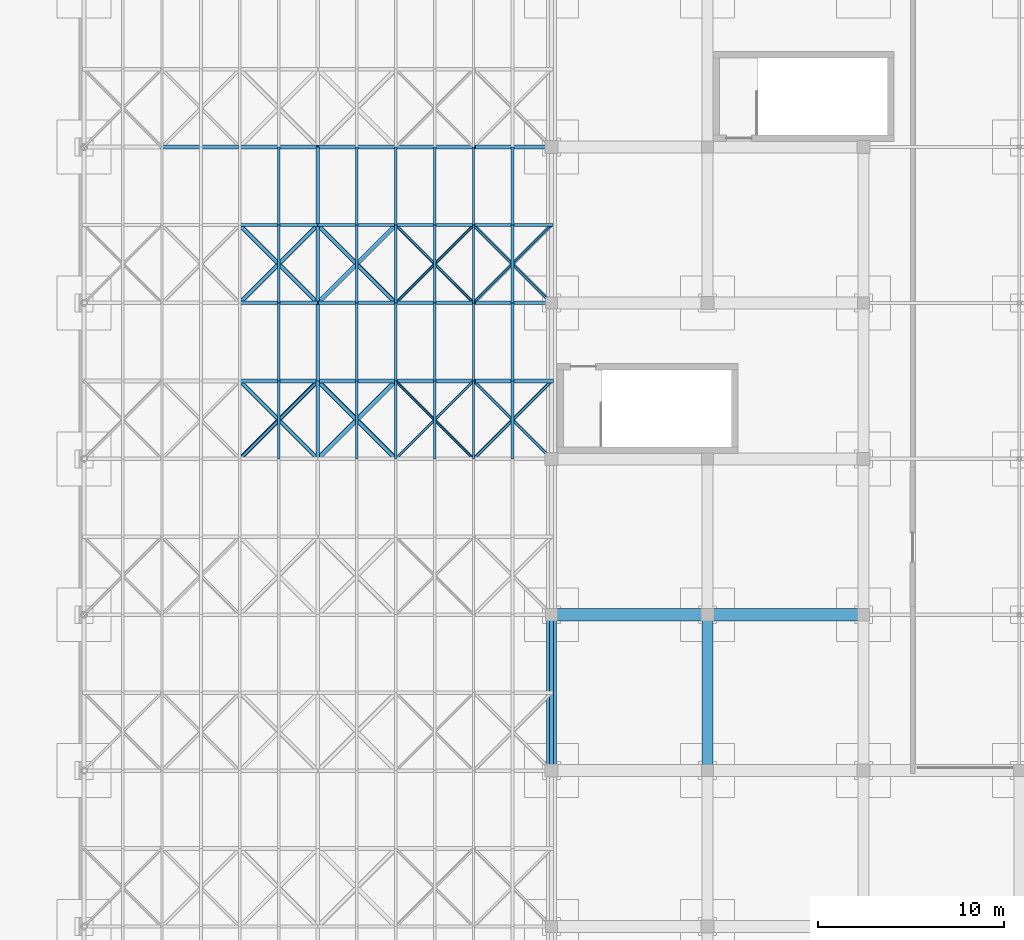
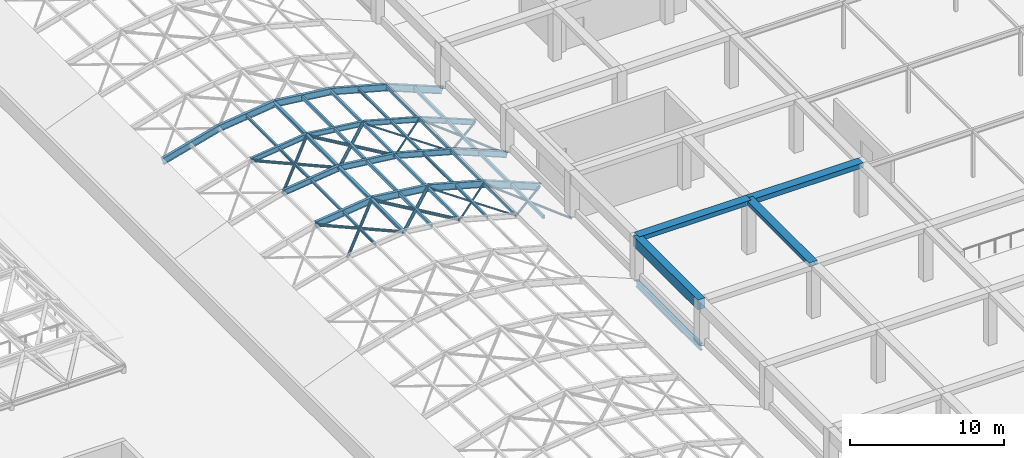
# One storey, part 22 of 85: 61 members, 5 beams.
"""IFC4 building model written with IfcOpenShell, lengths in metres."""

from ifc_helpers import new_model, si_unit, direction, frame, origin, origin_2d, place, context, subcontext, project, spatial, rectangle, hollow_rectangle, hollow_circle, i_section, extrude, material, material_profile, profile_set, type_object, element, save


model = new_model("IFC4")

# Units and contexts
model_context = context("Model", 3, precision=1e-05, world=origin(), true_north=direction((0.0, 1.0)))
body_context = subcontext(model_context, "Body", "Model", "MODEL_VIEW")
ifc_project = project(units=[si_unit("LENGTHUNIT", "METRE"), si_unit("AREAUNIT", "SQUARE_METRE"), si_unit("VOLUMEUNIT", "CUBIC_METRE"), si_unit("PLANEANGLEUNIT", "RADIAN"), si_unit("MASSUNIT", "GRAM", prefix="KILO")], contexts=[model_context])

# Site, building, storey
site_placement = place(None, origin())
site = spatial("IfcSite", under=ifc_project, at=site_placement, CompositionType="ELEMENT")
building_placement = place(site_placement, origin())
building = spatial("IfcBuilding", under=site, at=building_placement, Name="Almacenes y Pasaje Nevantli", CompositionType="ELEMENT")
storey_placement = place(building_placement, frame((0.0, 0.0, 22.199951171875)))
storey = spatial("IfcBuildingStorey", under=building, at=storey_placement, Name="L05", CompositionType="ELEMENT", Elevation=22.199951171875)

# Beams
ifc_material_1 = material(Name="Concrete C35/45", Category="concrete")
ifc_material_profile_1 = material_profile(ifc_material_1, rectangle(XDim=0.550048828125, YDim=0.800048828125, at=origin_2d()), Name="RC-BM-550x800")
ifc_profile_set_1 = profile_set([ifc_material_profile_1], Name="Concrete C35/45")
beam_type_1 = type_object("IfcBeamType", Name="BM-RC-550x800", PredefinedType="BEAM", material=ifc_profile_set_1)
beam_1_placement = place(storey_placement, frame((92.39990234375, 25.199951171875, 3.820068359375), z_axis=(0.0, 1.0, 0.0), x_axis=(-1.0, 0.0, 0.0)))
element("IfcBeam", 1, at=beam_1_placement, inside=storey, type_object=beam_type_1, Name="L05 North-South Reinforced Concrete Beam #3467", PredefinedType="BEAM", context=body_context, shape_type="SweptSolid", body=[
    extrude(rectangle(XDim=0.550048828125, YDim=0.800048828125, at=origin_2d()), origin(), (0.0, 0.0, 1.0), 8.400146484375),
])
ifc_material_2 = material(Name="Concrete C35/45", Category="concrete")
ifc_material_profile_2 = material_profile(ifc_material_2, rectangle(XDim=0.60009765625, YDim=0.320068359375, at=origin_2d()), Name="RC-BM-600x320")
ifc_profile_set_2 = profile_set([ifc_material_profile_2], Name="Concrete C35/45")
beam_type_2 = type_object("IfcBeamType", Name="BM-RC-600x320", PredefinedType="BEAM", material=ifc_profile_set_2)
beam_2_placement = place(storey_placement, frame((100.800048828125, 25.199951171875, 4.06005859375), z_axis=(0.0, 1.0, 0.0), x_axis=(-1.0, 0.0, 0.0)))
element("IfcBeam", 2, at=beam_2_placement, inside=storey, type_object=beam_type_2, Name="L05 North-South Reinforced Concrete Beam #3481", PredefinedType="BEAM", context=body_context, shape_type="SweptSolid", body=[
    extrude(rectangle(XDim=0.60009765625, YDim=0.320068359375, at=origin_2d()), origin(), (0.0, 0.0, 1.0), 8.400146484375),
])
ifc_material_3 = material(Name="Concrete C35/45", Category="concrete")
ifc_material_profile_3 = material_profile(ifc_material_3, rectangle(XDim=0.64990234375, YDim=0.35009765625, at=origin_2d()), Name="RC-BM-650x350")
ifc_profile_set_3 = profile_set([ifc_material_profile_3], Name="Concrete C35/45")
beam_type_3 = type_object("IfcBeamType", Name="BM-RC-650x350", PredefinedType="BEAM", material=ifc_profile_set_3)
beam_3_placement = place(storey_placement, frame((92.39990234375, 33.60009765625, 4.045166015625), z_axis=(1.0, 0.0, 0.0), x_axis=(0.0, 1.0, 0.0)))
element("IfcBeam", 3, at=beam_3_placement, inside=storey, type_object=beam_type_3, Name="L05 East-West Reinforced Concrete Beam #3299", PredefinedType="BEAM", context=body_context, shape_type="SweptSolid", body=[
    extrude(rectangle(XDim=0.64990234375, YDim=0.35009765625, at=origin_2d()), origin(), (0.0, 0.0, 1.0), 8.400146484375),
])
ifc_material_4 = material(Name="Concrete C35/45", Category="concrete")
ifc_material_profile_4 = material_profile(ifc_material_4, rectangle(XDim=0.64990234375, YDim=0.3798828125, at=origin_2d()), Name="RC-BM-650x380")
ifc_profile_set_4 = profile_set([ifc_material_profile_4], Name="Concrete C35/45")
beam_type_4 = type_object("IfcBeamType", Name="BM-RC-650x380", PredefinedType="BEAM", material=ifc_profile_set_4)
beam_4_placement = place(storey_placement, frame((100.800048828125, 33.60009765625, 4.030029296875), z_axis=(1.0, 0.0, 0.0), x_axis=(0.0, 1.0, 0.0)))
element("IfcBeam", 4, at=beam_4_placement, inside=storey, type_object=beam_type_4, Name="L05 East-West Reinforced Concrete Beam #3300", PredefinedType="BEAM", context=body_context, shape_type="SweptSolid", body=[
    extrude(rectangle(XDim=0.64990234375, YDim=0.3798828125, at=origin_2d()), origin(), (0.0, 0.0, 1.0), 8.39990234375),
])
ifc_material_5 = material(Name="Steel ASTM A992", Category="steel")
ifc_material_profile_5 = material_profile(ifc_material_5, i_section(OverallWidth=0.208984375, OverallDepth=0.532958984375, WebThickness=0.01025390625, FlangeThickness=0.015625, at=origin_2d()), Name="IR 533x92.5")
ifc_profile_set_5 = profile_set([ifc_material_profile_5], Name="Steel ASTM A992")
beam_type_5 = type_object("IfcBeamType", Name="BM-STL-IR-533x92p5", PredefinedType="BEAM", material=ifc_profile_set_5)
beam_5_placement = place(storey_placement, frame((92.39990234375, 25.199951171875, 0.400146484375), z_axis=(0.0, 1.0, 0.0), x_axis=(-1.0, 0.0, 0.0)))
element("IfcBeam", 5, at=beam_5_placement, inside=storey, type_object=beam_type_5, Name="L05 Arcade Barrel Vault Eave Steel Girder #2.4", PredefinedType="BEAM", context=body_context, shape_type="SweptSolid", body=[
    extrude(i_section(OverallWidth=0.208984375, OverallDepth=0.532958984375, WebThickness=0.01025390625, FlangeThickness=0.015625, at=origin_2d()), origin(), (0.0, 0.0, 1.0), 8.400146484375),
])

# Members
ifc_material_6 = material(Name="Steel ASTM A992", Category="steel")
ifc_material_profile_6 = material_profile(ifc_material_6, i_section(OverallWidth=0.180908203125, OverallDepth=0.406005859375, WebThickness=0.010986328125, FlangeThickness=0.018310546875, at=origin_2d()), Name="IR 406x85.0")
ifc_profile_set_6 = profile_set([ifc_material_profile_6], Name="Steel ASTM A992")
member_type_1 = type_object("IfcMemberType", Name="MBR-ARCH-IR406x85", PredefinedType="USERDEFINED", material=ifc_profile_set_6)
for number, where, z_axis, x_axis, name in (
    (6, (75.60009765625, 54.60009765625, 3.25), (0.99298811287, 0.0, 0.118214244908), (0.0, 1.0, 0.0), "Arcade Barrel Vault Steel Arch Rib 14.3"),
    (7, (79.800048828125, 54.60009765625, 3.75), (0.99298811287, 0.0, -0.118214244908), (0.0, 1.0, 0.0), "Arcade Barrel Vault Steel Arch Rib 14.4"),
):
    element("IfcMember", number, at=place(storey_placement, frame(where, z_axis=z_axis, x_axis=x_axis)), inside=storey, type_object=member_type_1, Name=name, ObjectType="ARCH RIB", PredefinedType="USERDEFINED", context=body_context, shape_type="SweptSolid", body=[
        extrude(i_section(OverallWidth=0.180908203125, OverallDepth=0.406005859375, WebThickness=0.010986328125, FlangeThickness=0.018310546875, at=origin_2d()), origin(), (0.0, 0.0, 1.0), 4.2294921875),
    ])
member_1_placement = place(storey_placement, frame((84.0, 54.60009765625, 3.25), z_axis=(0.964503290046, 0.0, -0.264070830443), x_axis=(0.0, 1.0, 0.0)))
element("IfcMember", 8, at=member_1_placement, inside=storey, type_object=member_type_1, Name="Arcade Barrel Vault Steel Arch Rib 14.5", ObjectType="ARCH RIB", PredefinedType="USERDEFINED", context=body_context, shape_type="SweptSolid", body=[
    extrude(i_section(OverallWidth=0.180908203125, OverallDepth=0.406005859375, WebThickness=0.010986328125, FlangeThickness=0.018310546875, at=origin_2d()), origin(), (0.0, 0.0, 1.0), 4.3544921875),
])
member_2_placement = place(storey_placement, frame((88.199951171875, 54.60009765625, 2.10009765625), z_axis=(0.926949044115, 0.0, -0.375187246072), x_axis=(0.0, 1.0, 0.0)))
element("IfcMember", 9, at=member_2_placement, inside=storey, type_object=member_type_1, Name="Arcade Barrel Vault Steel Arch Rib 14.6", ObjectType="ARCH RIB", PredefinedType="USERDEFINED", context=body_context, shape_type="SweptSolid", body=[
    extrude(i_section(OverallWidth=0.180908203125, OverallDepth=0.406005859375, WebThickness=0.010986328125, FlangeThickness=0.018310546875, at=origin_2d()), origin(), (0.0, 0.0, 1.0), 4.531005859375),
])
ifc_material_7 = material(Name="Steel ASTM A992", Category="steel")
ifc_material_profile_7 = material_profile(ifc_material_7, i_section(OverallWidth=0.193115234375, OverallDepth=0.4599609375, WebThickness=0.011474609375, FlangeThickness=0.01904296875, at=origin_2d()), Name="IR 457x96.7")
ifc_profile_set_7 = profile_set([ifc_material_profile_7], Name="Steel ASTM A992")
member_type_2 = type_object("IfcMemberType", Name="MBR-ARCH-IR457x96", PredefinedType="USERDEFINED", material=ifc_profile_set_7)
for number, where, z_axis, x_axis, name in (
    (10, (75.60009765625, 50.39990234375, 3.25), (0.99298811287, 0.0, 0.118214244908), (0.0, 1.0, 0.0), "Arcade Barrel Vault Steel Arch Rib 13.3"),
    (11, (79.800048828125, 50.39990234375, 3.75), (0.99298811287, 0.0, -0.118214244908), (0.0, 1.0, 0.0), "Arcade Barrel Vault Steel Arch Rib 13.4"),
):
    element("IfcMember", number, at=place(storey_placement, frame(where, z_axis=z_axis, x_axis=x_axis)), inside=storey, type_object=member_type_2, Name=name, ObjectType="ARCH RIB", PredefinedType="USERDEFINED", context=body_context, shape_type="SweptSolid", body=[
        extrude(i_section(OverallWidth=0.193115234375, OverallDepth=0.4599609375, WebThickness=0.011474609375, FlangeThickness=0.01904296875, at=origin_2d()), origin(), (0.0, 0.0, 1.0), 4.2294921875),
    ])
member_3_placement = place(storey_placement, frame((84.0, 50.39990234375, 3.25), z_axis=(0.964503290046, 0.0, -0.264070830443), x_axis=(0.0, 1.0, 0.0)))
element("IfcMember", 12, at=member_3_placement, inside=storey, type_object=member_type_2, Name="Arcade Barrel Vault Steel Arch Rib 13.5", ObjectType="ARCH RIB", PredefinedType="USERDEFINED", context=body_context, shape_type="SweptSolid", body=[
    extrude(i_section(OverallWidth=0.193115234375, OverallDepth=0.4599609375, WebThickness=0.011474609375, FlangeThickness=0.01904296875, at=origin_2d()), origin(), (0.0, 0.0, 1.0), 4.3544921875),
])
member_4_placement = place(storey_placement, frame((88.199951171875, 50.39990234375, 2.10009765625), z_axis=(0.926949044115, 0.0, -0.375187246072), x_axis=(0.0, 1.0, 0.0)))
element("IfcMember", 13, at=member_4_placement, inside=storey, type_object=member_type_2, Name="Arcade Barrel Vault Steel Arch Rib 13.6", ObjectType="ARCH RIB", PredefinedType="USERDEFINED", context=body_context, shape_type="SweptSolid", body=[
    extrude(i_section(OverallWidth=0.193115234375, OverallDepth=0.4599609375, WebThickness=0.011474609375, FlangeThickness=0.01904296875, at=origin_2d()), origin(), (0.0, 0.0, 1.0), 4.531005859375),
])
ifc_material_8 = material(Name="Steel ASTM A992", Category="steel")
ifc_material_profile_8 = material_profile(ifc_material_8, i_section(OverallWidth=0.208984375, OverallDepth=0.532958984375, WebThickness=0.01025390625, FlangeThickness=0.015625, at=origin_2d()), Name="IR 533x92.5")
ifc_profile_set_8 = profile_set([ifc_material_profile_8], Name="Steel ASTM A992")
member_type_3 = type_object("IfcMemberType", Name="MBR-ARCH-IR533x92", PredefinedType="USERDEFINED", material=ifc_profile_set_8)
for number, where, z_axis, x_axis, name in (
    (14, (75.60009765625, 46.199951171875, 3.25), (0.99298811287, 0.0, 0.118214244908), (0.0, 1.0, 0.0), "Arcade Barrel Vault Steel Arch Rib 12.3"),
    (15, (79.800048828125, 46.199951171875, 3.75), (0.99298811287, 0.0, -0.118214244908), (0.0, 1.0, 0.0), "Arcade Barrel Vault Steel Arch Rib 12.4"),
):
    element("IfcMember", number, at=place(storey_placement, frame(where, z_axis=z_axis, x_axis=x_axis)), inside=storey, type_object=member_type_3, Name=name, ObjectType="ARCH RIB", PredefinedType="USERDEFINED", context=body_context, shape_type="SweptSolid", body=[
        extrude(i_section(OverallWidth=0.208984375, OverallDepth=0.532958984375, WebThickness=0.01025390625, FlangeThickness=0.015625, at=origin_2d()), origin(), (0.0, 0.0, 1.0), 4.2294921875),
    ])
member_5_placement = place(storey_placement, frame((84.0, 46.199951171875, 3.25), z_axis=(0.964503290046, 0.0, -0.264070830443), x_axis=(0.0, 1.0, 0.0)))
element("IfcMember", 16, at=member_5_placement, inside=storey, type_object=member_type_3, Name="Arcade Barrel Vault Steel Arch Rib 12.5", ObjectType="ARCH RIB", PredefinedType="USERDEFINED", context=body_context, shape_type="SweptSolid", body=[
    extrude(i_section(OverallWidth=0.208984375, OverallDepth=0.532958984375, WebThickness=0.01025390625, FlangeThickness=0.015625, at=origin_2d()), origin(), (0.0, 0.0, 1.0), 4.3544921875),
])
member_6_placement = place(storey_placement, frame((88.199951171875, 46.199951171875, 2.10009765625), z_axis=(0.926949044115, 0.0, -0.375187246072), x_axis=(0.0, 1.0, 0.0)))
element("IfcMember", 17, at=member_6_placement, inside=storey, type_object=member_type_3, Name="Arcade Barrel Vault Steel Arch Rib 12.6", ObjectType="ARCH RIB", PredefinedType="USERDEFINED", context=body_context, shape_type="SweptSolid", body=[
    extrude(i_section(OverallWidth=0.208984375, OverallDepth=0.532958984375, WebThickness=0.01025390625, FlangeThickness=0.015625, at=origin_2d()), origin(), (0.0, 0.0, 1.0), 4.531005859375),
])
member_7_placement = place(storey_placement, frame((71.39990234375, 58.800048828125, 2.10009765625), z_axis=(0.964507199401, 0.0, 0.264056551336), x_axis=(0.0, 1.0, 0.0)))
element("IfcMember", 18, at=member_7_placement, inside=storey, type_object=member_type_3, Name="Arcade Barrel Vault Steel Arch Rib 15.2", ObjectType="ARCH RIB", PredefinedType="USERDEFINED", context=body_context, shape_type="SweptSolid", body=[
    extrude(i_section(OverallWidth=0.208984375, OverallDepth=0.532958984375, WebThickness=0.01025390625, FlangeThickness=0.015625, at=origin_2d()), origin(), (0.0, 0.0, 1.0), 4.354736328125),
])
for number, where, z_axis, x_axis, name in (
    (19, (75.60009765625, 58.800048828125, 3.25), (0.99298811287, 0.0, 0.118214244908), (0.0, 1.0, 0.0), "Arcade Barrel Vault Steel Arch Rib 15.3"),
    (20, (79.800048828125, 58.800048828125, 3.75), (0.99298811287, 0.0, -0.118214244908), (0.0, 1.0, 0.0), "Arcade Barrel Vault Steel Arch Rib 15.4"),
):
    element("IfcMember", number, at=place(storey_placement, frame(where, z_axis=z_axis, x_axis=x_axis)), inside=storey, type_object=member_type_3, Name=name, ObjectType="ARCH RIB", PredefinedType="USERDEFINED", context=body_context, shape_type="SweptSolid", body=[
        extrude(i_section(OverallWidth=0.208984375, OverallDepth=0.532958984375, WebThickness=0.01025390625, FlangeThickness=0.015625, at=origin_2d()), origin(), (0.0, 0.0, 1.0), 4.2294921875),
    ])
member_8_placement = place(storey_placement, frame((84.0, 58.800048828125, 3.25), z_axis=(0.964503290046, 0.0, -0.264070830443), x_axis=(0.0, 1.0, 0.0)))
element("IfcMember", 21, at=member_8_placement, inside=storey, type_object=member_type_3, Name="Arcade Barrel Vault Steel Arch Rib 15.5", ObjectType="ARCH RIB", PredefinedType="USERDEFINED", context=body_context, shape_type="SweptSolid", body=[
    extrude(i_section(OverallWidth=0.208984375, OverallDepth=0.532958984375, WebThickness=0.01025390625, FlangeThickness=0.015625, at=origin_2d()), origin(), (0.0, 0.0, 1.0), 4.3544921875),
])
member_9_placement = place(storey_placement, frame((88.199951171875, 58.800048828125, 2.10009765625), z_axis=(0.926949044115, 0.0, -0.375187246072), x_axis=(0.0, 1.0, 0.0)))
element("IfcMember", 22, at=member_9_placement, inside=storey, type_object=member_type_3, Name="Arcade Barrel Vault Steel Arch Rib 15.6", ObjectType="ARCH RIB", PredefinedType="USERDEFINED", context=body_context, shape_type="SweptSolid", body=[
    extrude(i_section(OverallWidth=0.208984375, OverallDepth=0.532958984375, WebThickness=0.01025390625, FlangeThickness=0.015625, at=origin_2d()), origin(), (0.0, 0.0, 1.0), 4.531005859375),
])
ifc_material_9 = material(Name="Steel ASTM A500 Grade C", Category="steel")
ifc_material_profile_9 = material_profile(ifc_material_9, hollow_circle(Radius=0.070556640625, WallThickness=0.006591796875, at=origin_2d()), Name="OC 141x6.6")
ifc_profile_set_9 = profile_set([ifc_material_profile_9], Name="Steel ASTM A500 Grade C")
member_type_4 = type_object("IfcMemberType", Name="MBR-BRC-OC141", PredefinedType="BRACE", material=ifc_profile_set_9)
for number, where, z_axis, x_axis, name in (
    (23, (84.0, 42.0, 3.25), (0.694216714393, 0.694216714393, -0.190069216113), (-0.707106781187, 0.707106781187, 0.0), "Arcade Barrel Vault Wind Brace 11.5A"),
    (24, (88.199951171875, 42.0, 2.10009765625), (-0.694216714393, 0.694216714393, 0.190069216113), (-0.707106781187, -0.707106781187, 0.0), "Arcade Barrel Vault Wind Brace 11.5B"),
):
    element("IfcMember", number, at=place(storey_placement, frame(where, z_axis=z_axis, x_axis=x_axis)), inside=storey, type_object=member_type_4, Name=name, PredefinedType="BRACE", context=body_context, shape_type="SweptSolid", body=[
        extrude(hollow_circle(Radius=0.070556640625, WallThickness=0.006591796875, at=origin_2d()), origin(), (0.0, 0.0, 1.0), 6.0498046875),
    ])
for number, where, z_axis, x_axis, name in (
    (25, (84.0, 50.39990234375, 3.25), (0.694197266374, 0.694237619642, -0.19006389145), (-0.707127332136, 0.70708622964, 0.0), "Arcade Barrel Vault Wind Brace 13.5A"),
    (26, (88.199951171875, 50.39990234375, 2.10009765625), (-0.694197266374, 0.694237619642, 0.19006389145), (-0.707127332136, -0.70708622964, 0.0), "Arcade Barrel Vault Wind Brace 13.5B"),
):
    element("IfcMember", number, at=place(storey_placement, frame(where, z_axis=z_axis, x_axis=x_axis)), inside=storey, type_object=member_type_4, Name=name, PredefinedType="BRACE", context=body_context, shape_type="SweptSolid", body=[
        extrude(hollow_circle(Radius=0.070556640625, WallThickness=0.006591796875, at=origin_2d()), origin(), (0.0, 0.0, 1.0), 6.050048828125),
    ])
ifc_material_10 = material(Name="Steel ASTM A500 Grade C", Category="steel")
ifc_material_profile_10 = material_profile(ifc_material_10, hollow_circle(Radius=0.084228515625, WallThickness=0.007080078125, at=origin_2d()), Name="OC 168x7.1")
ifc_profile_set_10 = profile_set([ifc_material_profile_10], Name="Steel ASTM A500 Grade C")
member_type_5 = type_object("IfcMemberType", Name="MBR-BRC-OC168", PredefinedType="BRACE", material=ifc_profile_set_10)
for number, where, z_axis, x_axis, name in (
    (27, (88.199951171875, 42.0, 2.10009765625), (0.679811915702, 0.679811915702, -0.275157261468), (-0.707106781187, 0.707106781187, 0.0), "Arcade Barrel Vault Wind Brace 11.6A"),
    (28, (92.39990234375, 42.0, 0.400146484375), (-0.679811915702, 0.679811915702, 0.275157261468), (-0.707106781187, -0.707106781187, 0.0), "Arcade Barrel Vault Wind Brace 11.6B"),
    (29, (88.199951171875, 50.39990234375, 2.10009765625), (0.679793653327, 0.679833169322, -0.275149869681), (-0.707127332136, 0.70708622964, 0.0), "Arcade Barrel Vault Wind Brace 13.6A"),
    (30, (92.39990234375, 50.39990234375, 0.400146484375), (-0.679793653327, 0.679833169322, 0.275149869681), (-0.707127332136, -0.70708622964, 0.0), "Arcade Barrel Vault Wind Brace 13.6B"),
):
    element("IfcMember", number, at=place(storey_placement, frame(where, z_axis=z_axis, x_axis=x_axis)), inside=storey, type_object=member_type_5, Name=name, PredefinedType="BRACE", context=body_context, shape_type="SweptSolid", body=[
        extrude(hollow_circle(Radius=0.084228515625, WallThickness=0.007080078125, at=origin_2d()), origin(), (0.0, 0.0, 1.0), 6.17822265625),
    ])
ifc_material_11 = material(Name="Steel ASTM A500 Grade C", Category="steel")
ifc_material_profile_11 = material_profile(ifc_material_11, hollow_circle(Radius=0.109619140625, WallThickness=0.00830078125, at=origin_2d()), Name="OC 219x8.2")
ifc_profile_set_11 = profile_set([ifc_material_profile_11], Name="Steel ASTM A500 Grade C")
member_type_6 = type_object("IfcMemberType", Name="MBR-BRC-OC219", PredefinedType="BRACE", material=ifc_profile_set_11)
for number, where, z_axis, x_axis, name in (
    (31, (75.60009765625, 42.0, 3.25), (0.70461462169, 0.70461462169, 0.083883668268), (-0.707106781187, 0.707106781187, 0.0), "Arcade Barrel Vault Wind Brace 11.3A"),
    (32, (79.800048828125, 42.0, 3.75), (-0.70461462169, 0.70461462169, -0.083883668268), (-0.707106781187, -0.707106781187, 0.0), "Arcade Barrel Vault Wind Brace 11.3B"),
    (33, (75.60009765625, 50.39990234375, 3.25), (0.704594286671, 0.704635244311, 0.083881247405), (-0.707127332136, 0.70708622964, 0.0), "Arcade Barrel Vault Wind Brace 13.3A"),
    (34, (79.800048828125, 50.39990234375, 3.75), (-0.704594286671, 0.704635244311, -0.083881247405), (-0.707127332136, -0.70708622964, 0.0), "Arcade Barrel Vault Wind Brace 13.3B"),
):
    element("IfcMember", number, at=place(storey_placement, frame(where, z_axis=z_axis, x_axis=x_axis)), inside=storey, type_object=member_type_6, Name=name, PredefinedType="BRACE", context=body_context, shape_type="SweptSolid", body=[
        extrude(hollow_circle(Radius=0.109619140625, WallThickness=0.00830078125, at=origin_2d()), origin(), (0.0, 0.0, 1.0), 5.960693359375),
    ])
ifc_material_12 = material(Name="Steel ASTM A500 Grade C", Category="steel")
ifc_material_profile_12 = material_profile(ifc_material_12, hollow_circle(Radius=0.122314453125, WallThickness=0.0087890625, at=origin_2d()), Name="OC 244x8.9")
ifc_profile_set_12 = profile_set([ifc_material_profile_12], Name="Steel ASTM A500 Grade C")
member_type_7 = type_object("IfcMemberType", Name="MBR-BRC-OC244", PredefinedType="BRACE", material=ifc_profile_set_12)
for number, where, z_axis, x_axis, name in (
    (35, (79.800048828125, 42.0, 3.75), (0.70461462169, 0.70461462169, -0.083883668268), (-0.707106781187, 0.707106781187, 0.0), "Arcade Barrel Vault Wind Brace 11.4A"),
    (36, (84.0, 42.0, 3.25), (-0.70461462169, 0.70461462169, 0.083883668268), (-0.707106781187, -0.707106781187, 0.0), "Arcade Barrel Vault Wind Brace 11.4B"),
    (37, (79.800048828125, 50.39990234375, 3.75), (0.704594286671, 0.704635244311, -0.083881247405), (-0.707127332136, 0.70708622964, 0.0), "Arcade Barrel Vault Wind Brace 13.4A"),
    (38, (84.0, 50.39990234375, 3.25), (-0.704594286671, 0.704635244311, 0.083881247405), (-0.707127332136, -0.70708622964, 0.0), "Arcade Barrel Vault Wind Brace 13.4B"),
):
    element("IfcMember", number, at=place(storey_placement, frame(where, z_axis=z_axis, x_axis=x_axis)), inside=storey, type_object=member_type_7, Name=name, PredefinedType="BRACE", context=body_context, shape_type="SweptSolid", body=[
        extrude(hollow_circle(Radius=0.122314453125, WallThickness=0.0087890625, at=origin_2d()), origin(), (0.0, 0.0, 1.0), 5.960693359375),
    ])
ifc_material_13 = material(Name="Steel ASTM A992", Category="steel")
ifc_material_profile_13 = material_profile(ifc_material_13, i_section(OverallWidth=0.134033203125, OverallDepth=0.2099609375, WebThickness=0.00634765625, FlangeThickness=0.01025390625, at=origin_2d()), Name="IR 203x31.3")
ifc_profile_set_13 = profile_set([ifc_material_profile_13], Name="Steel ASTM A992")
member_type_8 = type_object("IfcMemberType", Name="MBR-PUR-IR203x31", PredefinedType="PURLIN", material=ifc_profile_set_13)
for number, where, z_axis, x_axis, name in (
    (39, (77.699951171875, 42.0, 3.5), (0.0, 1.0, 0.0), (-1.0, 0.0, 0.0), "Arcade Barrel Vault Secondary Steel Purlin #118"),
    (40, (86.10009765625, 42.0, 2.675048828125), (0.0, 1.0, 0.0), (-1.0, 0.0, 0.0), "Arcade Barrel Vault Secondary Steel Purlin #120"),
    (41, (77.699951171875, 46.199951171875, 3.5), (0.0, 1.0, 0.0), (-1.0, 0.0, 0.0), "Arcade Barrel Vault Secondary Steel Purlin #129"),
    (42, (86.10009765625, 46.199951171875, 2.675048828125), (0.0, 1.0, 0.0), (-1.0, 0.0, 0.0), "Arcade Barrel Vault Secondary Steel Purlin #131"),
):
    element("IfcMember", number, at=place(storey_placement, frame(where, z_axis=z_axis, x_axis=x_axis)), inside=storey, type_object=member_type_8, Name=name, PredefinedType="PURLIN", context=body_context, shape_type="SweptSolid", body=[
        extrude(i_section(OverallWidth=0.134033203125, OverallDepth=0.2099609375, WebThickness=0.00634765625, FlangeThickness=0.01025390625, at=origin_2d()), origin(), (0.0, 0.0, 1.0), 4.199951171875),
    ])
for number, where, z_axis, x_axis, name in (
    (43, (77.699951171875, 50.39990234375, 3.5), (0.0, 1.0, 0.0), (-1.0, 0.0, 0.0), "Arcade Barrel Vault Secondary Steel Purlin #140"),
    (44, (86.10009765625, 50.39990234375, 2.675048828125), (0.0, 1.0, 0.0), (-1.0, 0.0, 0.0), "Arcade Barrel Vault Secondary Steel Purlin #142"),
):
    element("IfcMember", number, at=place(storey_placement, frame(where, z_axis=z_axis, x_axis=x_axis)), inside=storey, type_object=member_type_8, Name=name, PredefinedType="PURLIN", context=body_context, shape_type="SweptSolid", body=[
        extrude(i_section(OverallWidth=0.134033203125, OverallDepth=0.2099609375, WebThickness=0.00634765625, FlangeThickness=0.01025390625, at=origin_2d()), origin(), (0.0, 0.0, 1.0), 4.2001953125),
    ])
for number, where, z_axis, x_axis, name in (
    (45, (77.699951171875, 54.60009765625, 3.5), (0.0, 1.0, 0.0), (-1.0, 0.0, 0.0), "Arcade Barrel Vault Secondary Steel Purlin #151"),
    (46, (86.10009765625, 54.60009765625, 2.675048828125), (0.0, 1.0, 0.0), (-1.0, 0.0, 0.0), "Arcade Barrel Vault Secondary Steel Purlin #153"),
):
    element("IfcMember", number, at=place(storey_placement, frame(where, z_axis=z_axis, x_axis=x_axis)), inside=storey, type_object=member_type_8, Name=name, PredefinedType="PURLIN", context=body_context, shape_type="SweptSolid", body=[
        extrude(i_section(OverallWidth=0.134033203125, OverallDepth=0.2099609375, WebThickness=0.00634765625, FlangeThickness=0.01025390625, at=origin_2d()), origin(), (0.0, 0.0, 1.0), 4.199951171875),
    ])
ifc_material_14 = material(Name="Steel ASTM A992", Category="steel")
ifc_material_profile_14 = material_profile(ifc_material_14, i_section(OverallWidth=0.202880859375, OverallDepth=0.25390625, WebThickness=0.00732421875, FlangeThickness=0.010986328125, at=origin_2d()), Name="IR 254x49.1")
ifc_profile_set_14 = profile_set([ifc_material_profile_14], Name="Steel ASTM A992")
member_type_9 = type_object("IfcMemberType", Name="MBR-PUR-IR254x49", PredefinedType="PURLIN", material=ifc_profile_set_14)
for number, where, z_axis, x_axis, name in (
    (47, (79.800048828125, 42.0, 3.75), (0.0, 1.0, 0.0), (-1.0, 0.0, 0.0), "Arcade Barrel Vault Steel Purlin #113"),
    (48, (79.800048828125, 46.199951171875, 3.75), (0.0, 1.0, 0.0), (-1.0, 0.0, 0.0), "Arcade Barrel Vault Steel Purlin #124"),
):
    element("IfcMember", number, at=place(storey_placement, frame(where, z_axis=z_axis, x_axis=x_axis)), inside=storey, type_object=member_type_9, Name=name, PredefinedType="PURLIN", context=body_context, shape_type="SweptSolid", body=[
        extrude(i_section(OverallWidth=0.202880859375, OverallDepth=0.25390625, WebThickness=0.00732421875, FlangeThickness=0.010986328125, at=origin_2d()), origin(), (0.0, 0.0, 1.0), 4.199951171875),
    ])
member_10_placement = place(storey_placement, frame((79.800048828125, 50.39990234375, 3.75), z_axis=(0.0, 1.0, 0.0), x_axis=(-1.0, 0.0, 0.0)))
element("IfcMember", 49, at=member_10_placement, inside=storey, type_object=member_type_9, Name="Arcade Barrel Vault Steel Purlin #135", PredefinedType="PURLIN", context=body_context, shape_type="SweptSolid", body=[
    extrude(i_section(OverallWidth=0.202880859375, OverallDepth=0.25390625, WebThickness=0.00732421875, FlangeThickness=0.010986328125, at=origin_2d()), origin(), (0.0, 0.0, 1.0), 4.2001953125),
])
member_11_placement = place(storey_placement, frame((79.800048828125, 54.60009765625, 3.75), z_axis=(0.0, 1.0, 0.0), x_axis=(-1.0, 0.0, 0.0)))
element("IfcMember", 50, at=member_11_placement, inside=storey, type_object=member_type_9, Name="Arcade Barrel Vault Steel Purlin #146", PredefinedType="PURLIN", context=body_context, shape_type="SweptSolid", body=[
    extrude(i_section(OverallWidth=0.202880859375, OverallDepth=0.25390625, WebThickness=0.00732421875, FlangeThickness=0.010986328125, at=origin_2d()), origin(), (0.0, 0.0, 1.0), 4.199951171875),
])
ifc_material_15 = material(Name="Steel ASTM A500 Grade C", Category="steel")
ifc_material_profile_15 = material_profile(ifc_material_15, hollow_rectangle(XDim=0.1015625, YDim=0.203125, WallThickness=0.0078125, at=origin_2d()), Name="OR 203x102x7.9")
ifc_profile_set_15 = profile_set([ifc_material_profile_15], Name="Steel ASTM A500 Grade C")
member_type_10 = type_object("IfcMemberType", Name="MBR-PUR-OR203x102", PredefinedType="PURLIN", material=ifc_profile_set_15)
for number, where, z_axis, x_axis, name in (
    (51, (88.199951171875, 42.0, 2.10009765625), (0.0, 1.0, 0.0), (-1.0, 0.0, 0.0), "Arcade Barrel Vault Steel Purlin #115"),
    (52, (88.199951171875, 46.199951171875, 2.10009765625), (0.0, 1.0, 0.0), (-1.0, 0.0, 0.0), "Arcade Barrel Vault Steel Purlin #126"),
):
    element("IfcMember", number, at=place(storey_placement, frame(where, z_axis=z_axis, x_axis=x_axis)), inside=storey, type_object=member_type_10, Name=name, PredefinedType="PURLIN", context=body_context, shape_type="SweptSolid", body=[
        extrude(hollow_rectangle(XDim=0.1015625, YDim=0.203125, WallThickness=0.0078125, at=origin_2d()), origin(), (0.0, 0.0, 1.0), 4.199951171875),
    ])
member_12_placement = place(storey_placement, frame((88.199951171875, 50.39990234375, 2.10009765625), z_axis=(0.0, 1.0, 0.0), x_axis=(-1.0, 0.0, 0.0)))
element("IfcMember", 53, at=member_12_placement, inside=storey, type_object=member_type_10, Name="Arcade Barrel Vault Steel Purlin #137", PredefinedType="PURLIN", context=body_context, shape_type="SweptSolid", body=[
    extrude(hollow_rectangle(XDim=0.1015625, YDim=0.203125, WallThickness=0.0078125, at=origin_2d()), origin(), (0.0, 0.0, 1.0), 4.2001953125),
])
member_13_placement = place(storey_placement, frame((88.199951171875, 54.60009765625, 2.10009765625), z_axis=(0.0, 1.0, 0.0), x_axis=(-1.0, 0.0, 0.0)))
element("IfcMember", 54, at=member_13_placement, inside=storey, type_object=member_type_10, Name="Arcade Barrel Vault Steel Purlin #148", PredefinedType="PURLIN", context=body_context, shape_type="SweptSolid", body=[
    extrude(hollow_rectangle(XDim=0.1015625, YDim=0.203125, WallThickness=0.0078125, at=origin_2d()), origin(), (0.0, 0.0, 1.0), 4.199951171875),
])
ifc_material_16 = material(Name="Steel ASTM A500 Grade C", Category="steel")
ifc_material_profile_16 = material_profile(ifc_material_16, hollow_rectangle(XDim=0.15234375, YDim=0.203125, WallThickness=0.0078125, at=origin_2d()), Name="OR 203x152x7.9")
ifc_profile_set_16 = profile_set([ifc_material_profile_16], Name="Steel ASTM A500 Grade C")
member_type_11 = type_object("IfcMemberType", Name="MBR-PUR-OR203x152", PredefinedType="PURLIN", material=ifc_profile_set_16)
for number, where, z_axis, x_axis, name in (
    (55, (84.0, 42.0, 3.25), (0.0, 1.0, 0.0), (-1.0, 0.0, 0.0), "Arcade Barrel Vault Steel Purlin #114"),
    (56, (84.0, 46.199951171875, 3.25), (0.0, 1.0, 0.0), (-1.0, 0.0, 0.0), "Arcade Barrel Vault Steel Purlin #125"),
):
    element("IfcMember", number, at=place(storey_placement, frame(where, z_axis=z_axis, x_axis=x_axis)), inside=storey, type_object=member_type_11, Name=name, PredefinedType="PURLIN", context=body_context, shape_type="SweptSolid", body=[
        extrude(hollow_rectangle(XDim=0.15234375, YDim=0.203125, WallThickness=0.0078125, at=origin_2d()), origin(), (0.0, 0.0, 1.0), 4.199951171875),
    ])
member_14_placement = place(storey_placement, frame((84.0, 50.39990234375, 3.25), z_axis=(0.0, 1.0, 0.0), x_axis=(-1.0, 0.0, 0.0)))
element("IfcMember", 57, at=member_14_placement, inside=storey, type_object=member_type_11, Name="Arcade Barrel Vault Steel Purlin #136", PredefinedType="PURLIN", context=body_context, shape_type="SweptSolid", body=[
    extrude(hollow_rectangle(XDim=0.15234375, YDim=0.203125, WallThickness=0.0078125, at=origin_2d()), origin(), (0.0, 0.0, 1.0), 4.2001953125),
])
member_15_placement = place(storey_placement, frame((84.0, 54.60009765625, 3.25), z_axis=(0.0, 1.0, 0.0), x_axis=(-1.0, 0.0, 0.0)))
element("IfcMember", 58, at=member_15_placement, inside=storey, type_object=member_type_11, Name="Arcade Barrel Vault Steel Purlin #147", PredefinedType="PURLIN", context=body_context, shape_type="SweptSolid", body=[
    extrude(hollow_rectangle(XDim=0.15234375, YDim=0.203125, WallThickness=0.0078125, at=origin_2d()), origin(), (0.0, 0.0, 1.0), 4.199951171875),
])
ifc_material_17 = material(Name="Steel ASTM A500 Grade C", Category="steel")
ifc_material_profile_17 = material_profile(ifc_material_17, hollow_rectangle(XDim=0.15234375, YDim=0.25390625, WallThickness=0.009521484375, at=origin_2d()), Name="OR 254x152x9.5")
ifc_profile_set_17 = profile_set([ifc_material_profile_17], Name="Steel ASTM A500 Grade C")
member_type_12 = type_object("IfcMemberType", Name="MBR-PUR-OR254x152", PredefinedType="PURLIN", material=ifc_profile_set_17)
for number, where, z_axis, x_axis, name in (
    (59, (81.89990234375, 42.0, 3.5), (0.0, 1.0, 0.0), (-1.0, 0.0, 0.0), "Arcade Barrel Vault Secondary Steel Purlin #119"),
    (60, (90.300048828125, 42.0, 1.25), (0.0, 1.0, 0.0), (-1.0, 0.0, 0.0), "Arcade Barrel Vault Secondary Steel Purlin #121"),
    (61, (81.89990234375, 46.199951171875, 3.5), (0.0, 1.0, 0.0), (-1.0, 0.0, 0.0), "Arcade Barrel Vault Secondary Steel Purlin #130"),
    (62, (90.300048828125, 46.199951171875, 1.25), (0.0, 1.0, 0.0), (-1.0, 0.0, 0.0), "Arcade Barrel Vault Secondary Steel Purlin #132"),
):
    element("IfcMember", number, at=place(storey_placement, frame(where, z_axis=z_axis, x_axis=x_axis)), inside=storey, type_object=member_type_12, Name=name, PredefinedType="PURLIN", context=body_context, shape_type="SweptSolid", body=[
        extrude(hollow_rectangle(XDim=0.15234375, YDim=0.25390625, WallThickness=0.009521484375, at=origin_2d()), origin(), (0.0, 0.0, 1.0), 4.199951171875),
    ])
for number, where, z_axis, x_axis, name in (
    (63, (81.89990234375, 50.39990234375, 3.5), (0.0, 1.0, 0.0), (-1.0, 0.0, 0.0), "Arcade Barrel Vault Secondary Steel Purlin #141"),
    (64, (90.300048828125, 50.39990234375, 1.25), (0.0, 1.0, 0.0), (-1.0, 0.0, 0.0), "Arcade Barrel Vault Secondary Steel Purlin #143"),
):
    element("IfcMember", number, at=place(storey_placement, frame(where, z_axis=z_axis, x_axis=x_axis)), inside=storey, type_object=member_type_12, Name=name, PredefinedType="PURLIN", context=body_context, shape_type="SweptSolid", body=[
        extrude(hollow_rectangle(XDim=0.15234375, YDim=0.25390625, WallThickness=0.009521484375, at=origin_2d()), origin(), (0.0, 0.0, 1.0), 4.2001953125),
    ])
for number, where, z_axis, x_axis, name in (
    (65, (81.89990234375, 54.60009765625, 3.5), (0.0, 1.0, 0.0), (-1.0, 0.0, 0.0), "Arcade Barrel Vault Secondary Steel Purlin #152"),
    (66, (90.300048828125, 54.60009765625, 1.25), (0.0, 1.0, 0.0), (-1.0, 0.0, 0.0), "Arcade Barrel Vault Secondary Steel Purlin #154"),
):
    element("IfcMember", number, at=place(storey_placement, frame(where, z_axis=z_axis, x_axis=x_axis)), inside=storey, type_object=member_type_12, Name=name, PredefinedType="PURLIN", context=body_context, shape_type="SweptSolid", body=[
        extrude(hollow_rectangle(XDim=0.15234375, YDim=0.25390625, WallThickness=0.009521484375, at=origin_2d()), origin(), (0.0, 0.0, 1.0), 4.199951171875),
    ])

save(model, "model.ifc")
